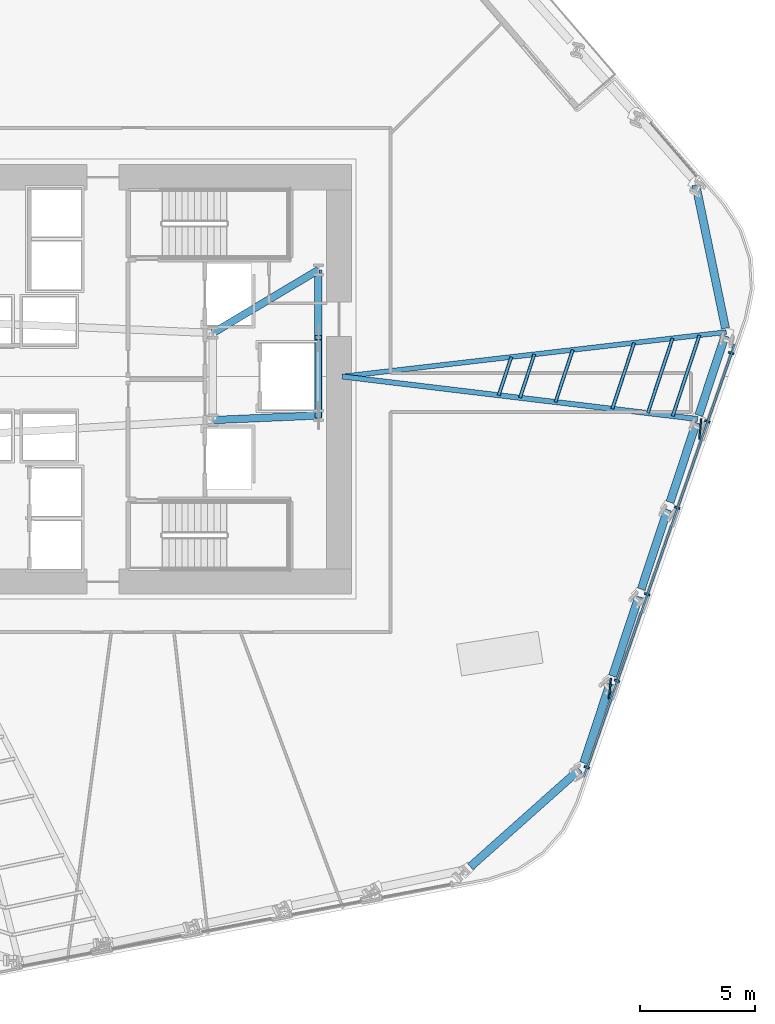
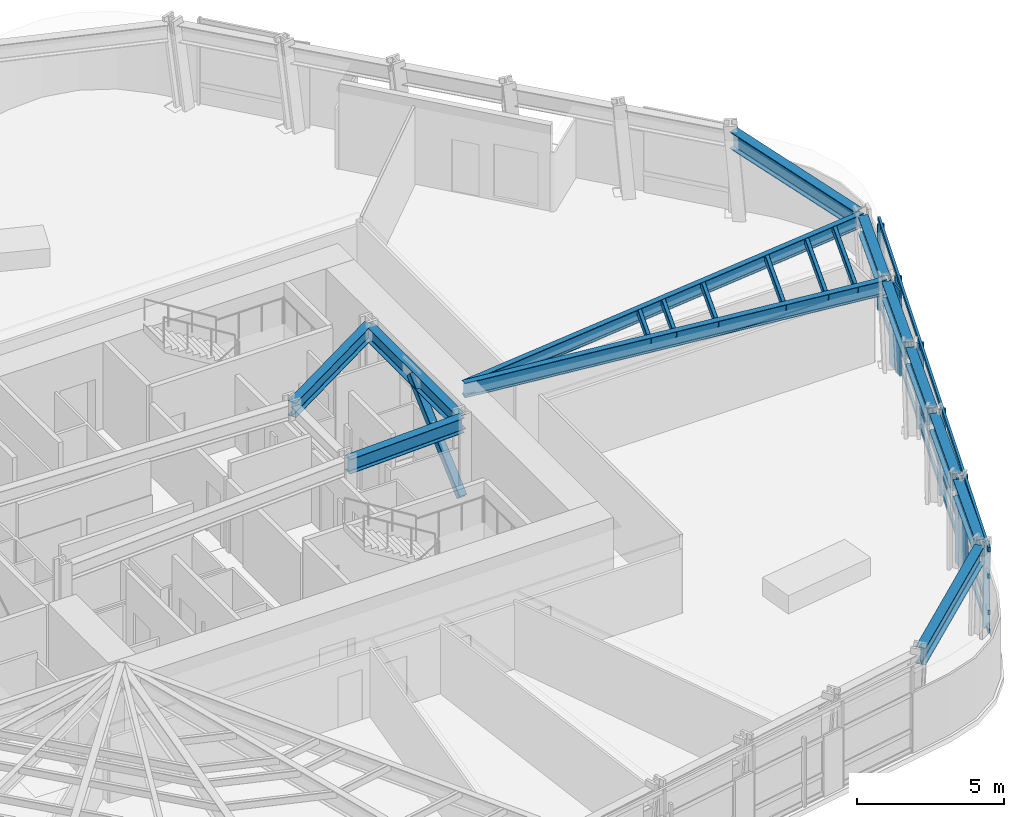
# One storey, part 4 of 18: 19 members, 12 beams, 1 element without a shape of its own.
"""IFC4 building model written with IfcOpenShell, lengths in metres."""

import ifcopenshell
import ifcopenshell.guid

model = None  # the IFC model being written
_history = None  # IfcOwnerHistory: only IFC2X3 demands one
_inside = {}  # id of a spatial element -> (the spatial element, [elements in it])
_under = {}  # id of a project, library or spatial element -> (it, [spatial elements below it])
_declared = {}  # id of a project -> (the project, [libraries it declares])
_typed = {}  # id of a type object -> (the type object, [elements of that type])
_made_of = {}  # id of a material, layer set ... -> (it, [elements and type objects made of it])


def new_model(schema):
    """Start an empty IFC model of exactly this schema.

    Asked for "IFC4X3", IfcOpenShell would pick the latest addendum, in which some entities
    have other attributes; the version numbers below select the first issue.
    IFC2X3 requires an IfcOwnerHistory on every rooted entity: one is made here for all.
    """
    global model, _history
    if schema == "IFC4X3":
        model = ifcopenshell.file(schema_version=(4, 3, 0, 0))
    else:
        model = ifcopenshell.file(schema=schema)
    _inside.clear()
    _under.clear()
    _declared.clear()
    _typed.clear()
    _made_of.clear()
    _history = None
    if model.schema == "IFC2X3":
        org = make("IfcOrganization", Name="unknown")
        user = make(
            "IfcPersonAndOrganization",
            ThePerson=make("IfcPerson", FamilyName="unknown"),
            TheOrganization=org,
        )
        app = make(
            "IfcApplication",
            ApplicationDeveloper=org,
            Version="unknown",
            ApplicationFullName="unknown",
            ApplicationIdentifier="unknown",
        )
        _history = make(
            "IfcOwnerHistory",
            OwningUser=user,
            OwningApplication=app,
            ChangeAction="ADDED",
            CreationDate=0,
        )
    return model


def make(cls, **values):
    """One entity of the class cls with the attributes given. An attribute that is None is left unset."""
    return model.create_entity(
        cls, **{name: value for name, value in values.items() if value is not None}
    )


def rooted(cls, **values):
    """An entity with a GlobalId (a new one), such as an element, a storey or a relation."""
    return make(cls, GlobalId=ifcopenshell.guid.new(), OwnerHistory=_history, **values)


def si_unit(unit_type, name, prefix=None):
    """IfcSIUnit, for example si_unit("LENGTHUNIT", "METRE", prefix="MILLI")."""
    return make("IfcSIUnit", UnitType=unit_type, Prefix=prefix, Name=name)


def assignment(units):
    """IfcUnitAssignment: the units of a project."""
    return None if units is None else make("IfcUnitAssignment", Units=units)


def point(xyz):
    """IfcCartesianPoint."""
    return None if xyz is None else make("IfcCartesianPoint", Coordinates=xyz)


def direction(xyz):
    """IfcDirection."""
    return None if xyz is None else make("IfcDirection", DirectionRatios=xyz)


def frame(location, z_axis=None, x_axis=None):
    """IfcAxis2Placement3D, a coordinate frame: its origin and axes. An axis left out is left unset."""
    return make(
        "IfcAxis2Placement3D",
        Location=point(location),
        Axis=direction(z_axis),
        RefDirection=direction(x_axis),
    )


def frame_2d(location, x_axis=None):
    """IfcAxis2Placement2D, a coordinate frame in the plane: its origin and x axis."""
    return make(
        "IfcAxis2Placement2D", Location=point(location), RefDirection=direction(x_axis)
    )


def origin():
    """The frame at (0, 0, 0) with its axes left unset."""
    return frame((0.0, 0.0, 0.0))


def origin_2d():
    """The frame at (0, 0) in the plane with its x axis left unset."""
    return frame_2d((0.0, 0.0))


def place(relative_to, where):
    """IfcLocalPlacement: puts the frame where relative to a parent placement (None: the world)."""
    return make(
        "IfcLocalPlacement", PlacementRelTo=relative_to, RelativePlacement=where
    )


def context(
    kind, dimensions, precision=None, world=None, true_north=None, identifier=None
):
    """IfcGeometricRepresentationContext, for example the 3D "Model" context."""
    return make(
        "IfcGeometricRepresentationContext",
        ContextIdentifier=identifier,
        ContextType=kind,
        CoordinateSpaceDimension=dimensions,
        Precision=precision,
        WorldCoordinateSystem=world,
        TrueNorth=true_north,
    )


def subcontext(parent, identifier, kind, view, scale=None):
    """IfcGeometricRepresentationSubContext, for example "Body" below "Model"."""
    return make(
        "IfcGeometricRepresentationSubContext",
        ContextIdentifier=identifier,
        ContextType=kind,
        ParentContext=parent,
        TargetScale=scale,
        TargetView=view,
    )


def project(units=None, contexts=None):
    """IfcProject with its units and contexts."""
    return rooted(
        "IfcProject",
        Name="project",
        RepresentationContexts=contexts,
        UnitsInContext=assignment(units),
    )


def spatial(cls, under=None, at=None, **own):
    """A site, building, storey or space (cls), placed at a placement, below another one or the project."""
    s = rooted(cls, ObjectPlacement=at, **own)
    if under is not None:
        _under.setdefault(under.id(), (under, []))[1].append(s)
    return s


def profile(cls, at=None, kind="AREA", **sizes):
    """A parametric profile (cls). Its sizes go by their IFC names, for example OverallWidth=200.0."""
    return make(cls, ProfileType=kind, Position=at, **sizes)


def rectangle(**sizes):
    """IfcRectangleProfileDef."""
    return profile("IfcRectangleProfileDef", **sizes)


def hollow_rectangle(**sizes):
    """IfcRectangleHollowProfileDef."""
    return profile("IfcRectangleHollowProfileDef", **sizes)


def i_section(**sizes):
    """IfcIShapeProfileDef."""
    return profile("IfcIShapeProfileDef", **sizes)


def extrude(swept, where, along, depth):
    """IfcExtrudedAreaSolid: the profile swept, set in the frame where, extruded along a direction by depth."""
    return make(
        "IfcExtrudedAreaSolid",
        SweptArea=swept,
        Position=where,
        ExtrudedDirection=direction(along),
        Depth=depth,
    )


def shape(context_of_items, identifier, shape_type, items):
    """IfcShapeRepresentation: the items that make up one representation, for example the "Body"."""
    return make(
        "IfcShapeRepresentation",
        ContextOfItems=context_of_items,
        RepresentationIdentifier=identifier,
        RepresentationType=shape_type,
        Items=items,
    )


def material(Name=None, Category=None):
    """IfcMaterial."""
    return make("IfcMaterial", Name=Name, Category=Category)


def layer(
    of_material, thickness, ventilated=None, Name=None, Category=None, Priority=None
):
    """IfcMaterialLayer: one layer of a wall or slab, of a material (None: an air gap)."""
    return make(
        "IfcMaterialLayer",
        Material=of_material,
        LayerThickness=thickness,
        IsVentilated=ventilated,
        Name=Name,
        Category=Category,
        Priority=Priority,
    )


def layer_set(layers, Name=None):
    """IfcMaterialLayerSet."""
    return make("IfcMaterialLayerSet", MaterialLayers=layers, LayerSetName=Name)


def material_profile(
    of_material, cross_section, Name=None, Category=None, Priority=None
):
    """IfcMaterialProfile: a cross section and its material."""
    return make(
        "IfcMaterialProfile",
        Name=Name,
        Material=of_material,
        Profile=cross_section,
        Priority=Priority,
        Category=Category,
    )


def profile_set(profiles, Name=None, composite=None):
    """IfcMaterialProfileSet."""
    return make(
        "IfcMaterialProfileSet",
        Name=Name,
        MaterialProfiles=profiles,
        CompositeProfile=composite,
    )


def made_of(thing, what):
    """Note that an element or type object is made of a material, layer set ...; save() writes the relation."""
    if what is not None:
        _made_of.setdefault(what.id(), (what, []))[1].append(thing)
    return thing


def type_object(cls, material=None, **own):
    """A type object (cls), such as IfcWallType, which elements share."""
    return made_of(rooted(cls, **own), material)


def element(
    cls,
    number,
    at=None,
    inside=None,
    cuts=None,
    type_object=None,
    material=None,
    context=None,
    identifier="Body",
    shape_type=None,
    held_by="IfcProductDefinitionShape",
    body=None,
    shapes=None,
    **own,
):
    """One element of the class cls, such as IfcWall. Its Tag is "e" and its number.

    at: its placement. inside: the storey or other place that contains it. cuts: it is an
    opening in that element (IfcRelVoidsElement). A single representation is given by context,
    identifier, shape_type and body (its items); several are given by shapes. held_by: the class
    of the entity that holds the representations. save() writes the other relations.
    """
    e = rooted(cls, Tag="e%d" % number, ObjectPlacement=at, **own)
    if body is not None:
        shapes = [shape(context, identifier, shape_type, body)]
    if shapes is not None:
        e.Representation = make(held_by, Representations=shapes)
    if inside is not None:
        _inside.setdefault(inside.id(), (inside, []))[1].append(e)
    if cuts is not None:
        rooted(
            "IfcRelVoidsElement", RelatingBuildingElement=cuts, RelatedOpeningElement=e
        )
    if type_object is not None:
        _typed.setdefault(type_object.id(), (type_object, []))[1].append(e)
    return made_of(e, material)


def aggregate(whole, parts):
    """IfcRelAggregates: a whole, such as a stair, and the parts it consists of."""
    return rooted("IfcRelAggregates", RelatingObject=whole, RelatedObjects=parts)


def save(model, path):
    """Write the relations noted so far, then the file.

    IfcRelAggregates (storeys below a building ...), IfcRelContainedInSpatialStructure (elements
    in a storey), IfcRelDefinesByType, IfcRelAssociatesMaterial and IfcRelDeclares: one each for
    every whole, place, type object, material and project.
    """
    for whole, parts in _under.values():
        aggregate(whole, parts)
    for where, things in _inside.values():
        rooted(
            "IfcRelContainedInSpatialStructure",
            RelatedElements=things,
            RelatingStructure=where,
        )
    for kind, things in _typed.values():
        rooted("IfcRelDefinesByType", RelatedObjects=things, RelatingType=kind)
    for what, things in _made_of.values():
        rooted("IfcRelAssociatesMaterial", RelatedObjects=things, RelatingMaterial=what)
    for by, libraries in _declared.values():
        rooted("IfcRelDeclares", RelatingContext=by, RelatedDefinitions=libraries)
    model.write(path)


model = new_model("IFC4")

# Units and contexts
model_context = context("Model", 3, precision=1e-05, world=origin(), true_north=direction((0.0, 1.0)))
body_context = subcontext(model_context, "Body", "Model", "MODEL_VIEW")
ifc_project = project(units=[si_unit("LENGTHUNIT", "METRE"), si_unit("AREAUNIT", "SQUARE_METRE"), si_unit("VOLUMEUNIT", "CUBIC_METRE"), si_unit("PLANEANGLEUNIT", "RADIAN"), si_unit("MASSUNIT", "GRAM", prefix="KILO")], contexts=[model_context])

# Site, building, storey
site_placement = place(None, origin())
site = spatial("IfcSite", under=ifc_project, at=site_placement, CompositionType="ELEMENT")
building_placement = place(site_placement, origin())
building = spatial("IfcBuilding", under=site, at=building_placement, Name="Valkerne Bourse Tower", CompositionType="ELEMENT")
storey_placement = place(building_placement, frame((0.0, 0.0, 69.60009765625)))
storey = spatial("IfcBuildingStorey", under=building, at=storey_placement, Name="L17", CompositionType="ELEMENT", Elevation=69.60009765625)

# Beams
ifc_material_1 = material(Name="Steel ASTM A992", Category="steel")
ifc_material_profile_1 = material_profile(ifc_material_1, i_section(OverallWidth=0.2138671875, OverallDepth=0.548583984375, WebThickness=0.0146484375, FlangeThickness=0.023681640625, FilletRadius=0.017822265625, at=origin_2d()), Name="W21X93")
ifc_profile_set_1 = profile_set([ifc_material_profile_1], Name="Steel ASTM A992")
beam_type_1 = type_object("IfcBeamType", Name="BM-W21X93", PredefinedType="BEAM", material=ifc_profile_set_1)
beam_1_placement = place(storey_placement, frame((72.753662109375, 28.938720703125, 3.3056640625), z_axis=(-0.993371033379, -0.11495212066, 0.0), x_axis=(0.11495212066, -0.993371033379, 0.0)))
element("IfcBeam", 1, at=beam_1_placement, inside=storey, type_object=beam_type_1, Name="L17 Radial Composite Floor Beam 35", PredefinedType="BEAM", context=body_context, shape_type="SweptSolid", body=[
    extrude(i_section(OverallWidth=0.2138671875, OverallDepth=0.548583984375, WebThickness=0.0146484375, FlangeThickness=0.023681640625, FilletRadius=0.017822265625, at=origin_2d()), origin(), (0.0, 0.0, 1.0), 16.865478515625),
])
ifc_material_profile_2 = material_profile(ifc_material_1, i_section(OverallWidth=0.3251953125, OverallDepth=0.612060546875, WebThickness=0.0126953125, FlangeThickness=0.01904296875, FilletRadius=0.020263671875, at=origin_2d()), Name="W24X104")
ifc_profile_set_2 = profile_set([ifc_material_profile_2], Name="Steel ASTM A992")
beam_type_2 = type_object("IfcBeamType", Name="BM-W24X104", PredefinedType="BEAM", material=ifc_profile_set_2)
beam_2_placement = place(storey_placement, frame((50.35009765625, 25.10009765625, 3.27392578125), z_axis=(0.999056558506, 0.043428019819, 0.0), x_axis=(-0.043428019819, 0.999056558506, 0.0)))
element("IfcBeam", 2, at=beam_2_placement, inside=storey, type_object=beam_type_2, Name="L17 Core Frame Girder CG-SE", PredefinedType="BEAM", context=body_context, shape_type="SweptSolid", body=[
    extrude(i_section(OverallWidth=0.3251953125, OverallDepth=0.612060546875, WebThickness=0.0126953125, FlangeThickness=0.01904296875, FilletRadius=0.020263671875, at=origin_2d()), origin(), (0.0, 0.0, 1.0), 4.604248046875),
])
beam_3_placement = place(storey_placement, frame((50.35009765625, 28.89990234375, 3.27392578125), z_axis=(0.858307823492, 0.513135148019, 0.0), x_axis=(-0.513135148019, 0.858307823492, 0.0)))
element("IfcBeam", 3, at=beam_3_placement, inside=storey, type_object=beam_type_2, Name="L17 Core Frame Girder CG-NE", PredefinedType="BEAM", context=body_context, shape_type="SweptSolid", body=[
    extrude(i_section(OverallWidth=0.3251953125, OverallDepth=0.612060546875, WebThickness=0.0126953125, FlangeThickness=0.01904296875, FilletRadius=0.020263671875, at=origin_2d()), origin(), (0.0, 0.0, 1.0), 5.359130859375),
])
beam_4_placement = place(storey_placement, frame((54.949951171875, 25.300048828125, 3.27392578125), z_axis=(0.0, 1.0, 0.0), x_axis=(-1.0, 0.0, 0.0)))
element("IfcBeam", 4, at=beam_4_placement, inside=storey, type_object=beam_type_2, Name="L17 Core Frame Girder CG-EE", PredefinedType="BEAM", context=body_context, shape_type="SweptSolid", body=[
    extrude(i_section(OverallWidth=0.3251953125, OverallDepth=0.612060546875, WebThickness=0.0126953125, FlangeThickness=0.01904296875, FilletRadius=0.020263671875, at=origin_2d()), origin(), (0.0, 0.0, 1.0), 6.349853515625),
])
ifc_material_profile_3 = material_profile(ifc_material_1, i_section(OverallWidth=0.228271484375, OverallDepth=0.607177734375, WebThickness=0.01123046875, FlangeThickness=0.017333984375, FilletRadius=0.017822265625, at=origin_2d()), Name="W24X76")
ifc_profile_set_3 = profile_set([ifc_material_profile_3], Name="Steel ASTM A992")
beam_type_3 = type_object("IfcBeamType", Name="BM-W24X76", PredefinedType="JOIST", material=ifc_profile_set_3)
beam_5_placement = place(storey_placement, frame((71.498779296875, 25.14501953125, 3.2763671875), z_axis=(-0.992913721412, 0.118837459718, 0.0), x_axis=(-0.118837459718, -0.992913721412, 0.0)))
element("IfcBeam", 5, at=beam_5_placement, inside=storey, type_object=beam_type_3, Name="L17 Radial Composite Floor Beam 34", PredefinedType="JOIST", context=body_context, shape_type="SweptSolid", body=[
    extrude(i_section(OverallWidth=0.228271484375, OverallDepth=0.607177734375, WebThickness=0.01123046875, FlangeThickness=0.017333984375, FilletRadius=0.017822265625, at=origin_2d()), origin(), (0.0, 0.0, 1.0), 15.609375),
])
ifc_material_profile_4 = material_profile(ifc_material_1, i_section(OverallWidth=0.358154296875, OverallDepth=0.7060546875, WebThickness=0.018310546875, FlangeThickness=0.0302734375, FilletRadius=0.02294921875, at=origin_2d()), Name="W27X178")
ifc_profile_set_4 = profile_set([ifc_material_profile_4], Name="Steel ASTM A992")
beam_type_4 = type_object("IfcBeamType", Name="BM-W27X178", PredefinedType="SPANDREL", material=ifc_profile_set_4)
beam_6_placement = place(storey_placement, frame((61.582763671875, 5.606201171875, 3.226806640625), z_axis=(0.746649835567, 0.665217275068, 0.0), x_axis=(-0.665217275068, 0.746649835567, 0.0)))
element("IfcBeam", 6, at=beam_6_placement, inside=storey, type_object=beam_type_4, Name="L17 Hexagonal Spandrel Ring Beam 29", PredefinedType="SPANDREL", context=body_context, shape_type="SweptSolid", body=[
    extrude(i_section(OverallWidth=0.358154296875, OverallDepth=0.7060546875, WebThickness=0.018310546875, FlangeThickness=0.0302734375, FilletRadius=0.02294921875, at=origin_2d()), origin(), (0.0, 0.0, 1.0), 6.388916015625),
])
for number, where, z_axis, x_axis, name in (
    (7, (66.533447265625, 10.130615234375, 3.226806640625), (0.31398319058, 0.949428541826, 0.0), (-0.949428541826, 0.31398319058, 0.0), "L17 Hexagonal Spandrel Ring Beam 30"),
    (8, (67.7880859375, 13.924560546875, 3.226806640625), (0.31398319058, 0.949428541826, 0.0), (-0.949428541826, 0.31398319058, 0.0), "L17 Hexagonal Spandrel Ring Beam 31"),
    (9, (69.042724609375, 17.718505859375, 3.226806640625), (0.31398319058, 0.949428541826, 0.0), (-0.949428541826, 0.31398319058, 0.0), "L17 Hexagonal Spandrel Ring Beam 32"),
):
    element("IfcBeam", number, at=place(storey_placement, frame(where, z_axis=z_axis, x_axis=x_axis)), inside=storey, type_object=beam_type_4, Name=name, PredefinedType="SPANDREL", context=body_context, shape_type="SweptSolid", body=[
        extrude(i_section(OverallWidth=0.358154296875, OverallDepth=0.7060546875, WebThickness=0.018310546875, FlangeThickness=0.0302734375, FilletRadius=0.02294921875, at=origin_2d()), origin(), (0.0, 0.0, 1.0), 3.656005859375),
    ])
for number, where, z_axis, x_axis, name in (
    (10, (70.297607421875, 21.512451171875, 3.226806640625), (0.314003098161, 0.949421958007, 0.0), (-0.949421958007, 0.314003098161, 0.0), "L17 Hexagonal Spandrel Ring Beam 33"),
    (11, (71.55224609375, 25.306396484375, 3.226806640625), (0.314003098161, 0.949421958007, 0.0), (-0.949421958007, 0.314003098161, 0.0), "L17 Hexagonal Spandrel Ring Beam 34"),
):
    element("IfcBeam", number, at=place(storey_placement, frame(where, z_axis=z_axis, x_axis=x_axis)), inside=storey, type_object=beam_type_4, Name=name, PredefinedType="SPANDREL", context=body_context, shape_type="SweptSolid", body=[
        extrude(i_section(OverallWidth=0.358154296875, OverallDepth=0.7060546875, WebThickness=0.018310546875, FlangeThickness=0.0302734375, FilletRadius=0.02294921875, at=origin_2d()), origin(), (0.0, 0.0, 1.0), 3.65576171875),
    ])
beam_7_placement = place(storey_placement, frame((72.718994140625, 29.105224609375, 3.226806640625), z_axis=(-0.202754703906, 0.979229559421, 0.0), x_axis=(-0.979229559421, -0.202754703906, 0.0)))
element("IfcBeam", 12, at=beam_7_placement, inside=storey, type_object=beam_type_4, Name="L17 Hexagonal Spandrel Ring Beam 35", PredefinedType="SPANDREL", context=body_context, shape_type="SweptSolid", body=[
    extrude(i_section(OverallWidth=0.358154296875, OverallDepth=0.7060546875, WebThickness=0.018310546875, FlangeThickness=0.0302734375, FilletRadius=0.02294921875, at=origin_2d()), origin(), (0.0, 0.0, 1.0), 6.38916015625),
])

# Curtain wall, members
ifc_material_2 = material(Name="Aluminium AA 6063-T6", Category="aluminium")
ifc_layer = layer(ifc_material_2, 0.22509765625)
ifc_layer_set = layer_set([ifc_layer], Name="Aluminium AA 6063-T6")
curtain_wall_type = type_object("IfcCurtainWallType", Name="CW-01", PredefinedType="NOTDEFINED", material=ifc_layer_set)
curtain_wall_placement = place(storey_placement, origin())
curtain_wall = element("IfcCurtainWall", 13, at=curtain_wall_placement, inside=storey, type_object=curtain_wall_type, Name="L17 Hexagonal Stick Curtain Wall Face 6", PredefinedType="NOTDEFINED")
ifc_material_profile_5 = material_profile(ifc_material_2, rectangle(XDim=0.090087890625, YDim=0.239990234375, at=origin_2d()), Name="CWM-90X240")
ifc_profile_set_5 = profile_set([ifc_material_profile_5], Name="Aluminium AA 6063-T6")
member_type_1 = type_object("IfcMemberType", Name="CW-MUL-240X90", PredefinedType="MULLION", material=ifc_profile_set_5)
member_1_placement = place(storey_placement, frame((66.669189453125, 9.947021484375, 0.0), z_axis=(0.0, 0.0, 1.0), x_axis=(0.328857411624, 0.944379586194, 0.0)))
member_1 = element("IfcMember", 14, at=member_1_placement, type_object=member_type_1, Name="CW-L17-F6 Jamb Mullion 00A", PredefinedType="MULLION", context=body_context, shape_type="SweptSolid", body=[
    extrude(rectangle(XDim=0.090087890625, YDim=0.239990234375, at=origin_2d()), origin(), (0.0, 0.0, 1.0), 3.579833984375),
])
member_2_placement = place(storey_placement, frame((67.9833984375, 13.720703125, 0.0), z_axis=(0.0, 0.0, 1.0), x_axis=(0.328879730217, 0.944371813987, 0.0)))
member_2 = element("IfcMember", 15, at=member_2_placement, type_object=member_type_1, Name="CW-L17-F6 Jamb Mullion 01A", PredefinedType="MULLION", context=body_context, shape_type="SweptSolid", body=[
    extrude(rectangle(XDim=0.090087890625, YDim=0.239990234375, at=origin_2d()), origin(), (0.0, 0.0, 1.0), 3.579833984375),
])
member_3_placement = place(storey_placement, frame((69.297607421875, 17.494384765625, 0.0), z_axis=(0.0, 0.0, 1.0), x_axis=(0.328849639785, 0.944382292514, 0.0)))
member_3 = element("IfcMember", 16, at=member_3_placement, type_object=member_type_1, Name="CW-L17-F6 Jamb Mullion 02A", PredefinedType="MULLION", context=body_context, shape_type="SweptSolid", body=[
    extrude(rectangle(XDim=0.090087890625, YDim=0.239990234375, at=origin_2d()), origin(), (0.0, 0.0, 1.0), 3.579833984375),
])
member_4_placement = place(storey_placement, frame((70.61181640625, 21.268310546875, 0.0), z_axis=(0.0, 0.0, 1.0), x_axis=(0.328879730217, 0.944371813987, 0.0)))
member_4 = element("IfcMember", 17, at=member_4_placement, type_object=member_type_1, Name="CW-L17-F6 Jamb Mullion 03A", PredefinedType="MULLION", context=body_context, shape_type="SweptSolid", body=[
    extrude(rectangle(XDim=0.090087890625, YDim=0.239990234375, at=origin_2d()), origin(), (0.0, 0.0, 1.0), 3.579833984375),
])
member_5_placement = place(storey_placement, frame((71.92578125, 25.0419921875, 0.0), z_axis=(0.0, 0.0, 1.0), x_axis=(0.328857411624, 0.944379586194, 0.0)))
member_5 = element("IfcMember", 18, at=member_5_placement, type_object=member_type_1, Name="CW-L17-F6 Jamb Mullion 04A", PredefinedType="MULLION", context=body_context, shape_type="SweptSolid", body=[
    extrude(rectangle(XDim=0.090087890625, YDim=0.239990234375, at=origin_2d()), origin(), (0.0, 0.0, 1.0), 3.579833984375),
])
member_6_placement = place(storey_placement, frame((72.9638671875, 28.0224609375, 0.0), z_axis=(0.0, 0.0, 1.0), x_axis=(0.328857411624, 0.944379586194, 0.0)))
member_6 = element("IfcMember", 19, at=member_6_placement, type_object=member_type_1, Name="CW-L17-F6 Jamb Mullion 04B", PredefinedType="MULLION", context=body_context, shape_type="SweptSolid", body=[
    extrude(rectangle(XDim=0.090087890625, YDim=0.239990234375, at=origin_2d()), origin(), (0.0, 0.0, 1.0), 3.579833984375),
])
ifc_material_profile_6 = material_profile(ifc_material_2, rectangle(XDim=0.090087890625, YDim=0.179931640625, at=origin_2d()), Name="CWT-90X180")
ifc_profile_set_6 = profile_set([ifc_material_profile_6], Name="Aluminium AA 6063-T6")
member_type_2 = type_object("IfcMemberType", Name="CW-TRN-180X90", PredefinedType="USERDEFINED", material=ifc_profile_set_6)
member_7_placement = place(storey_placement, frame((66.550048828125, 9.5439453125, 0.119873046875), z_axis=(0.328868469627, 0.944375735439, 0.0), x_axis=(-0.944375735439, 0.328868469627, 0.0)))
member_7 = element("IfcMember", 20, at=member_7_placement, type_object=member_type_2, Name="CW-L17-F6 Continuous Face Transom 1", ObjectType="TRANSOM", PredefinedType="USERDEFINED", context=body_context, shape_type="SweptSolid", body=[
    extrude(rectangle(XDim=0.090087890625, YDim=0.179931640625, at=origin_2d()), origin(), (0.0, 0.0, 1.0), 19.97998046875),
])
member_8_placement = place(storey_placement, frame((66.550048828125, 9.5439453125, 0.89990234375), z_axis=(0.328868469627, 0.944375735439, 0.0), x_axis=(-0.944375735439, 0.328868469627, 0.0)))
member_8 = element("IfcMember", 21, at=member_8_placement, type_object=member_type_2, Name="CW-L17-F6 Continuous Face Transom 2", ObjectType="TRANSOM", PredefinedType="USERDEFINED", context=body_context, shape_type="SweptSolid", body=[
    extrude(rectangle(XDim=0.090087890625, YDim=0.179931640625, at=origin_2d()), origin(), (0.0, 0.0, 1.0), 19.97998046875),
])
member_9_placement = place(storey_placement, frame((66.550048828125, 9.5439453125, 2.39990234375), z_axis=(0.328868469627, 0.944375735439, 0.0), x_axis=(-0.944375735439, 0.328868469627, 0.0)))
member_9 = element("IfcMember", 22, at=member_9_placement, type_object=member_type_2, Name="CW-L17-F6 Continuous Face Transom 3", ObjectType="TRANSOM", PredefinedType="USERDEFINED", context=body_context, shape_type="SweptSolid", body=[
    extrude(rectangle(XDim=0.090087890625, YDim=0.179931640625, at=origin_2d()), origin(), (0.0, 0.0, 1.0), 19.97998046875),
])
member_10_placement = place(storey_placement, frame((66.550048828125, 9.5439453125, 3.5), z_axis=(0.328868469627, 0.944375735439, 0.0), x_axis=(-0.944375735439, 0.328868469627, 0.0)))
member_10 = element("IfcMember", 23, at=member_10_placement, type_object=member_type_2, Name="CW-L17-F6 Continuous Face Transom 4", ObjectType="TRANSOM", PredefinedType="USERDEFINED", context=body_context, shape_type="SweptSolid", body=[
    extrude(rectangle(XDim=0.090087890625, YDim=0.179931640625, at=origin_2d()), origin(), (0.0, 0.0, 1.0), 19.97998046875),
])
aggregate(curtain_wall, [member_7, member_8, member_9, member_10, member_1, member_2, member_3, member_4, member_5, member_6])

# Members
ifc_material_3 = material(Name="Bronze Anodised Aluminium AA 6063-T6", Category="aluminium")
ifc_material_profile_7 = material_profile(ifc_material_3, rectangle(XDim=0.070068359375, YDim=0.89990234375, at=origin_2d()), Name="FIN-70X900")
ifc_profile_set_7 = profile_set([ifc_material_profile_7], Name="Bronze Anodised Aluminium AA 6063-T6")
member_type_3 = type_object("IfcMemberType", Name="FIN-SOLAR-900", PredefinedType="USERDEFINED", material=ifc_profile_set_7)
for number, where, z_axis, x_axis, name in (
    (24, (67.67529296875, 13.38330078125, 0.00390625), (0.0, 0.0, 1.0), (0.995748333579, -0.092115450253, 0.0), "L17 Bronze Anodised Solar Fin F6-01"),
    (25, (71.617919921875, 24.70458984375, 0.00390625), (0.0, 0.0, 1.0), (0.995750451926, -0.092092548502, 0.0), "L17 Bronze Anodised Solar Fin F6-04"),
):
    element("IfcMember", number, at=place(storey_placement, frame(where, z_axis=z_axis, x_axis=x_axis)), inside=storey, type_object=member_type_3, Name=name, ObjectType="SOLAR_FIN", PredefinedType="USERDEFINED", context=body_context, shape_type="SweptSolid", body=[
        extrude(rectangle(XDim=0.070068359375, YDim=0.89990234375, at=origin_2d()), origin(), (0.0, 0.0, 1.0), 3.572021484375),
    ])
ifc_material_4 = material(Name="Steel ASTM A500 Grade C", Category="steel")
ifc_material_profile_8 = material_profile(ifc_material_4, hollow_rectangle(XDim=0.14990234375, YDim=0.300048828125, WallThickness=0.012451171875, OuterFilletRadius=0.02490234375, at=origin_2d()), Name="HSS300X150X12.5")
ifc_profile_set_8 = profile_set([ifc_material_profile_8], Name="Steel ASTM A500 Grade C")
member_type_4 = type_object("IfcMemberType", Name="MBR-HSS300X150X12.5", PredefinedType="PURLIN", material=ifc_profile_set_8)
member_11_placement = place(storey_placement, frame((62.819580078125, 26.183837890625, 3.419921875), z_axis=(0.31397723902, 0.949430510031, 0.0), x_axis=(-0.949430510031, 0.31397723902, 0.0)))
element("IfcMember", 26, at=member_11_placement, inside=storey, type_object=member_type_4, Name="L17 Secondary Composite Floor Purlin K-34", PredefinedType="PURLIN", context=body_context, shape_type="SweptSolid", body=[
    extrude(hollow_rectangle(XDim=0.14990234375, YDim=0.300048828125, WallThickness=0.012451171875, OuterFilletRadius=0.02490234375, at=origin_2d()), origin(), (0.0, 0.0, 1.0), 1.758056640625),
])
member_12_placement = place(storey_placement, frame((63.74951171875, 26.072509765625, 3.419921875), z_axis=(0.313917355255, 0.949450311533, 0.0), x_axis=(-0.949450311533, 0.313917355255, 0.0)))
element("IfcMember", 27, at=member_12_placement, inside=storey, type_object=member_type_4, Name="L17 Secondary Composite Floor Purlin M-34", PredefinedType="PURLIN", context=body_context, shape_type="SweptSolid", body=[
    extrude(hollow_rectangle(XDim=0.14990234375, YDim=0.300048828125, WallThickness=0.012451171875, OuterFilletRadius=0.02490234375, at=origin_2d()), origin(), (0.0, 0.0, 1.0), 1.998046875),
])
member_13_placement = place(storey_placement, frame((67.779296875, 25.590087890625, 3.419921875), z_axis=(0.313935636161, 0.94944426711, 0.0), x_axis=(-0.94944426711, 0.313935636161, 0.0)))
element("IfcMember", 28, at=member_13_placement, inside=storey, type_object=member_type_4, Name="L17 Secondary Composite Floor Purlin O-34", PredefinedType="PURLIN", context=body_context, shape_type="SweptSolid", body=[
    extrude(hollow_rectangle(XDim=0.14990234375, YDim=0.300048828125, WallThickness=0.012451171875, OuterFilletRadius=0.02490234375, at=origin_2d()), origin(), (0.0, 0.0, 1.0), 3.036865234375),
])
member_14_placement = place(storey_placement, frame((65.29931640625, 25.886962890625, 3.419921875), z_axis=(0.314027501758, 0.949413886637, 0.0), x_axis=(-0.949413886637, 0.314027501758, 0.0)))
element("IfcMember", 29, at=member_14_placement, inside=storey, type_object=member_type_4, Name="L17 Secondary Composite Floor Purlin Z-34", PredefinedType="PURLIN", context=body_context, shape_type="SweptSolid", body=[
    extrude(hollow_rectangle(XDim=0.14990234375, YDim=0.300048828125, WallThickness=0.012451171875, OuterFilletRadius=0.02490234375, at=origin_2d()), origin(), (0.0, 0.0, 1.0), 2.397705078125),
])
member_15_placement = place(storey_placement, frame((69.3291015625, 25.404541015625, 3.419921875), z_axis=(0.313989180619, 0.949426560854, 0.0), x_axis=(-0.949426560854, 0.313989180619, 0.0)))
element("IfcMember", 30, at=member_15_placement, inside=storey, type_object=member_type_4, Name="L17 Secondary Composite Floor Purlin T-34", PredefinedType="PURLIN", context=body_context, shape_type="SweptSolid", body=[
    extrude(hollow_rectangle(XDim=0.14990234375, YDim=0.300048828125, WallThickness=0.012451171875, OuterFilletRadius=0.02490234375, at=origin_2d()), origin(), (0.0, 0.0, 1.0), 3.436767578125),
])
member_16_placement = place(storey_placement, frame((70.4140625, 25.27490234375, 3.419921875), z_axis=(0.313979941609, 0.949429616279, 0.0), x_axis=(-0.949429616279, 0.313979941609, 0.0)))
element("IfcMember", 31, at=member_16_placement, inside=storey, type_object=member_type_4, Name="L17 Secondary Composite Floor Purlin U-34", PredefinedType="PURLIN", context=body_context, shape_type="SweptSolid", body=[
    extrude(hollow_rectangle(XDim=0.14990234375, YDim=0.300048828125, WallThickness=0.012451171875, OuterFilletRadius=0.02490234375, at=origin_2d()), origin(), (0.0, 0.0, 1.0), 3.716064453125),
])
ifc_material_profile_9 = material_profile(ifc_material_4, hollow_rectangle(XDim=0.300048828125, YDim=0.300048828125, WallThickness=0.012451171875, OuterFilletRadius=0.02490234375, at=origin_2d()), Name="HSS300X300X12.5")
ifc_profile_set_9 = profile_set([ifc_material_profile_9], Name="Steel ASTM A500 Grade C")
member_type_5 = type_object("IfcMemberType", Name="MBR-HSS300X300X12.5", PredefinedType="STRUT", material=ifc_profile_set_9)
member_17_placement = place(storey_placement, frame((54.949951171875, 25.300048828125, 0.219970703125), z_axis=(0.0, 0.743941933778, 0.668244266094), x_axis=(-1.0, 0.0, 0.0)))
element("IfcMember", 32, at=member_17_placement, inside=storey, type_object=member_type_5, Name="L17 Core Service Pier Lateral Brace", PredefinedType="STRUT", context=body_context, shape_type="SweptSolid", body=[
    extrude(hollow_rectangle(XDim=0.300048828125, YDim=0.300048828125, WallThickness=0.012451171875, OuterFilletRadius=0.02490234375, at=origin_2d()), origin(), (0.0, 0.0, 1.0), 4.570068359375),
])

save(model, "model.ifc")
